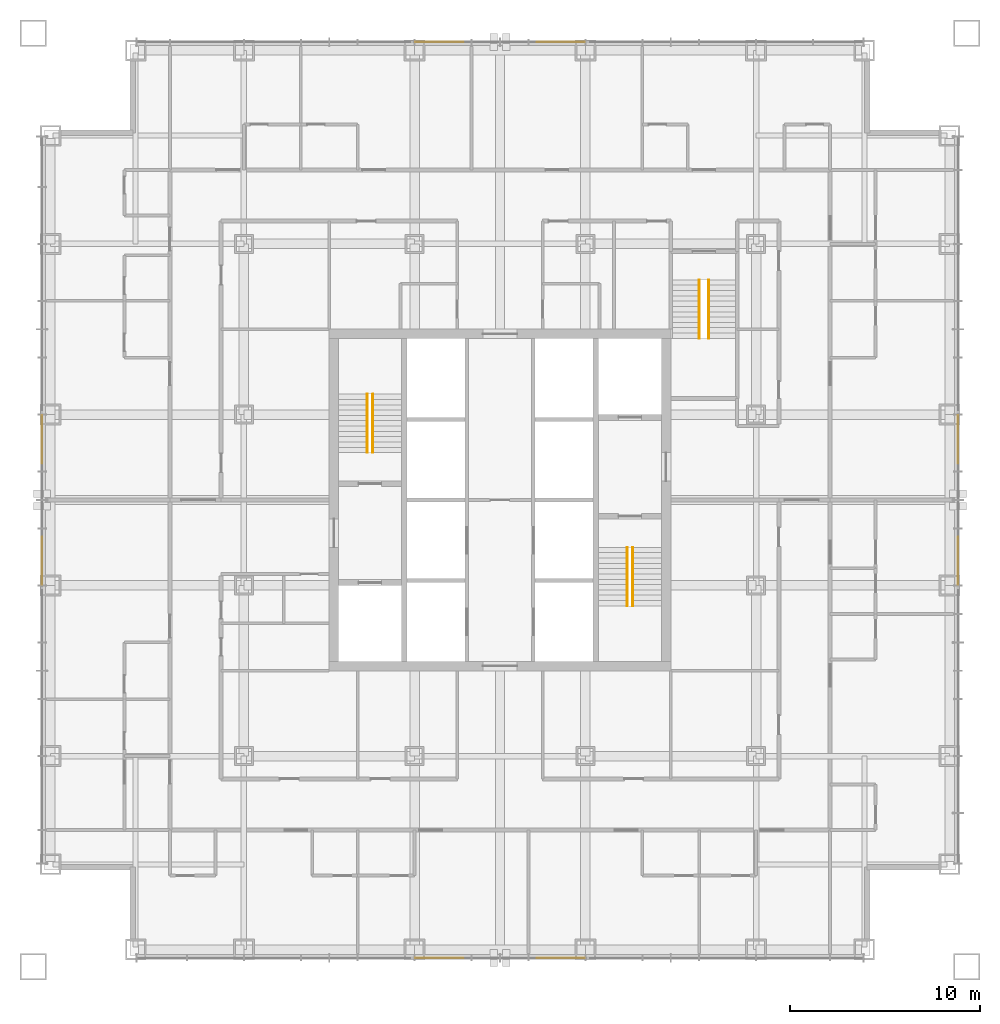
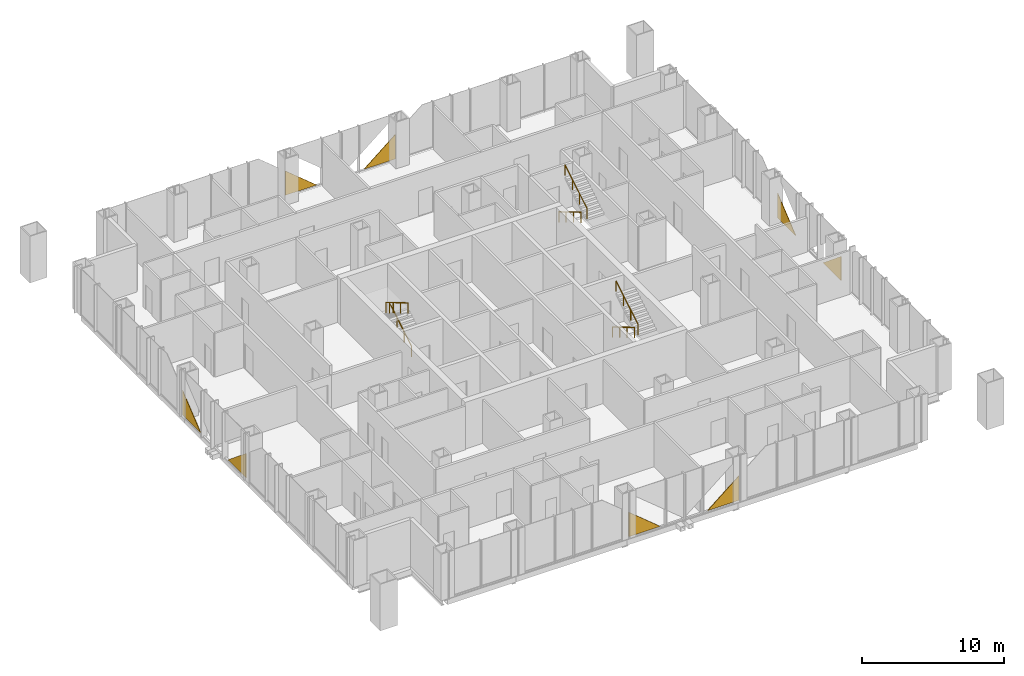
# One storey, part 13 of 17: 8 coverings, 6 railings.
"""IFC4 building model written with IfcOpenShell, lengths in metres."""

from ifc_helpers import new_model, si_unit, direction, frame, origin, origin_2d, place, context, subcontext, project, spatial, polyline, circle, outline, extrude, material, layer, layer_set, type_object, element, save


model = new_model("IFC4")

# Units and contexts
model_context = context("Model", 3, precision=1e-05, world=origin(), true_north=direction((0.0, 1.0)))
body_context = subcontext(model_context, "Body", "Model", "MODEL_VIEW")
ifc_project = project(units=[si_unit("LENGTHUNIT", "METRE"), si_unit("AREAUNIT", "SQUARE_METRE"), si_unit("VOLUMEUNIT", "CUBIC_METRE"), si_unit("PLANEANGLEUNIT", "RADIAN"), si_unit("MASSUNIT", "GRAM", prefix="KILO")], contexts=[model_context])

# Site, building, storey
site_placement = place(None, origin())
site = spatial("IfcSite", under=ifc_project, at=site_placement, CompositionType="ELEMENT")
building_placement = place(site_placement, origin())
building = spatial("IfcBuilding", under=site, at=building_placement, Name="Malebo Sky Hospital", CompositionType="ELEMENT")
storey_placement = place(building_placement, frame((0.0, 0.0, 120.0)))
storey = spatial("IfcBuildingStorey", under=building, at=storey_placement, Name="L28", CompositionType="ELEMENT", Elevation=120.0)

# Coverings
ifc_material_1 = material(Name="Anodised aluminium, natural silver insulated infill panel", Category="aluminium")
ifc_layer = layer(ifc_material_1, 0.0400390625)
ifc_layer_set = layer_set([ifc_layer], Name="BRACE INFILL PANEL 40")
covering_type = type_object("IfcCoveringType", Name="BRACE INFILL PANEL 40", PredefinedType="CLADDING", material=ifc_layer_set)
covering_1_placement = place(storey_placement, frame((56.806884765625, 86.135009765625, 0.10009765625), z_axis=(0.0, 0.0, 1.0), x_axis=(1.0, 0.0, 0.0)))
element("IfcCovering", 1, at=covering_1_placement, inside=storey, type_object=covering_type, Name="Brace infill panel 7.1", PredefinedType="CLADDING", context=body_context, shape_type="SweptSolid", body=[
    extrude(outline(polyline([(-1.269287109375, 0.0), (1.269287109375, 0.0), (-1.269287109375, 2.09228515625), (-1.269287109375, 0.0)])), frame((0.0, 0.02001953125, 0.0), z_axis=(0.0, -1.0, 0.0), x_axis=(1.0, 0.0, 0.0)), (0.0, 0.0, 1.0), 0.0400390625),
])
covering_2_placement = place(storey_placement, frame((63.193115234375, 86.135009765625, 0.10009765625), z_axis=(0.0, 0.0, 1.0), x_axis=(1.0, 0.0, 0.0)))
element("IfcCovering", 2, at=covering_2_placement, inside=storey, type_object=covering_type, Name="Brace infill panel 10.1", PredefinedType="CLADDING", context=body_context, shape_type="SweptSolid", body=[
    extrude(outline(polyline([(-1.269287109375, 0.0), (1.269287109375, 0.0), (1.269287109375, 2.09228515625), (-1.269287109375, 0.0)])), frame((0.0, 0.02001953125, 0.0), z_axis=(0.0, -1.0, 0.0), x_axis=(1.0, 0.0, 0.0)), (0.0, 0.0, 1.0), 0.0400390625),
])
covering_3_placement = place(storey_placement, frame((35.864990234375, 58.806884765625, 0.10009765625), z_axis=(0.0, 0.0, 1.0), x_axis=(0.0, 1.0, 0.0)))
element("IfcCovering", 3, at=covering_3_placement, inside=storey, type_object=covering_type, Name="Brace infill panel 7.1", PredefinedType="CLADDING", context=body_context, shape_type="SweptSolid", body=[
    extrude(outline(polyline([(-1.269287109375, 0.0), (1.269287109375, 0.0), (-1.269287109375, 2.09228515625), (-1.269287109375, 0.0)])), frame((0.0, 0.02001953125, 0.0), z_axis=(0.0, -1.0, 0.0), x_axis=(1.0, 0.0, 0.0)), (0.0, 0.0, 1.0), 0.0400390625),
])
covering_4_placement = place(storey_placement, frame((35.864990234375, 65.193115234375, 0.10009765625), z_axis=(0.0, 0.0, 1.0), x_axis=(0.0, 1.0, 0.0)))
element("IfcCovering", 4, at=covering_4_placement, inside=storey, type_object=covering_type, Name="Brace infill panel 10.1", PredefinedType="CLADDING", context=body_context, shape_type="SweptSolid", body=[
    extrude(outline(polyline([(-1.269287109375, 0.0), (1.269287109375, 0.0), (1.269287109375, 2.09228515625), (-1.269287109375, 0.0)])), frame((0.0, 0.02001953125, 0.0), z_axis=(0.0, -1.0, 0.0), x_axis=(1.0, 0.0, 0.0)), (0.0, 0.0, 1.0), 0.0400390625),
])
covering_5_placement = place(storey_placement, frame((63.193115234375, 37.864990234375, 0.10009765625), z_axis=(0.0, 0.0, 1.0), x_axis=(-1.0, 0.0, 0.0)))
element("IfcCovering", 5, at=covering_5_placement, inside=storey, type_object=covering_type, Name="Brace infill panel 7.1", PredefinedType="CLADDING", context=body_context, shape_type="SweptSolid", body=[
    extrude(outline(polyline([(-1.269287109375, 0.0), (1.269287109375, 0.0), (-1.269287109375, 2.09228515625), (-1.269287109375, 0.0)])), frame((0.0, 0.02001953125, 0.0), z_axis=(0.0, -1.0, 0.0), x_axis=(1.0, 0.0, 0.0)), (0.0, 0.0, 1.0), 0.0400390625),
])
covering_6_placement = place(storey_placement, frame((56.806884765625, 37.864990234375, 0.10009765625), z_axis=(0.0, 0.0, 1.0), x_axis=(-1.0, 0.0, 0.0)))
element("IfcCovering", 6, at=covering_6_placement, inside=storey, type_object=covering_type, Name="Brace infill panel 10.1", PredefinedType="CLADDING", context=body_context, shape_type="SweptSolid", body=[
    extrude(outline(polyline([(-1.269287109375, 0.0), (1.269287109375, 0.0), (1.269287109375, 2.09228515625), (-1.269287109375, 0.0)])), frame((0.0, 0.02001953125, 0.0), z_axis=(0.0, -1.0, 0.0), x_axis=(1.0, 0.0, 0.0)), (0.0, 0.0, 1.0), 0.0400390625),
])
covering_7_placement = place(storey_placement, frame((84.135009765625, 65.193115234375, 0.10009765625), z_axis=(0.0, 0.0, 1.0), x_axis=(0.0, -1.0, 0.0)))
element("IfcCovering", 7, at=covering_7_placement, inside=storey, type_object=covering_type, Name="Brace infill panel 7.1", PredefinedType="CLADDING", context=body_context, shape_type="SweptSolid", body=[
    extrude(outline(polyline([(-1.269287109375, 0.0), (1.269287109375, 0.0), (-1.269287109375, 2.09228515625), (-1.269287109375, 0.0)])), frame((0.0, 0.02001953125, 0.0), z_axis=(0.0, -1.0, 0.0), x_axis=(1.0, 0.0, 0.0)), (0.0, 0.0, 1.0), 0.0400390625),
])
covering_8_placement = place(storey_placement, frame((84.135009765625, 58.806884765625, 0.10009765625), z_axis=(0.0, 0.0, 1.0), x_axis=(0.0, -1.0, 0.0)))
element("IfcCovering", 8, at=covering_8_placement, inside=storey, type_object=covering_type, Name="Brace infill panel 10.1", PredefinedType="CLADDING", context=body_context, shape_type="SweptSolid", body=[
    extrude(outline(polyline([(-1.269287109375, 0.0), (1.269287109375, 0.0), (1.269287109375, 2.09228515625), (-1.269287109375, 0.0)])), frame((0.0, 0.02001953125, 0.0), z_axis=(0.0, -1.0, 0.0), x_axis=(1.0, 0.0, 0.0)), (0.0, 0.0, 1.0), 0.0400390625),
])

# Railings
ifc_material_2 = material(Name="Stainless steel tube", Category="steel")
railing_type = type_object("IfcRailingType", Name="STAIR HANDRAIL 900", PredefinedType="HANDRAIL", material=ifc_material_2)
railing_1_placement = place(storey_placement, frame((53.300048828125, 64.5, 0.166748046875)))
element("IfcRailing", 9, at=railing_1_placement, inside=storey, type_object=railing_type, Name="Stair handrail S1 flight 1", PredefinedType="HANDRAIL", context=body_context, shape_type="SweptSolid", body=[
    extrude(circle(Radius=0.02392578125, at=origin_2d()), frame((0.0, 0.0, 0.8759765625), z_axis=(0.0, 0.859308565015, 0.511457515432), x_axis=(-1.0, 0.0, 0.0)), (0.0, 0.0, 1.0), 3.58447265625),
    extrude(circle(Radius=0.02099609375, at=origin_2d()), origin(), (0.0, 0.0, 1.0), 0.851806640625),
    extrude(circle(Radius=0.02099609375, at=origin_2d()), frame((0.0, 1.026611328125, 0.611083984375)), (0.0, 0.0, 1.0), 0.851806640625),
    extrude(circle(Radius=0.02099609375, at=origin_2d()), frame((0.0, 2.053466796875, 1.22216796875)), (0.0, 0.0, 1.0), 0.851806640625),
    extrude(circle(Radius=0.02099609375, at=origin_2d()), frame((0.0, 3.080078125, 1.833251953125)), (0.0, 0.0, 1.0), 0.851806640625),
])
for number, where, name in (
    (10, (53.0, 67.580078125, 2.166748046875), "Stair handrail S1 flight 2"),
    (11, (66.699951171875, 59.5, 0.166748046875), "Stair handrail S2 flight 1"),
):
    element("IfcRailing", number, at=place(storey_placement, frame(where)), inside=storey, type_object=railing_type, Name=name, PredefinedType="HANDRAIL", context=body_context, shape_type="SweptSolid", body=[
        extrude(circle(Radius=0.02392578125, at=origin_2d()), frame((0.0, 0.0, 0.8759765625), z_axis=(0.0, -0.859308565015, 0.511457515432), x_axis=(1.0, 0.0, 0.0)), (0.0, 0.0, 1.0), 3.58447265625),
        extrude(circle(Radius=0.02099609375, at=origin_2d()), origin(), (0.0, 0.0, 1.0), 0.851806640625),
        extrude(circle(Radius=0.02099609375, at=origin_2d()), frame((0.0, -1.026611328125, 0.611083984375)), (0.0, 0.0, 1.0), 0.851806640625),
        extrude(circle(Radius=0.02099609375, at=origin_2d()), frame((0.0, -2.053466796875, 1.22216796875)), (0.0, 0.0, 1.0), 0.851806640625),
        extrude(circle(Radius=0.02099609375, at=origin_2d()), frame((0.0, -3.080078125, 1.833251953125)), (0.0, 0.0, 1.0), 0.851806640625),
    ])
railing_2_placement = place(storey_placement, frame((67.0, 56.419921875, 2.166748046875)))
element("IfcRailing", 12, at=railing_2_placement, inside=storey, type_object=railing_type, Name="Stair handrail S2 flight 2", PredefinedType="HANDRAIL", context=body_context, shape_type="SweptSolid", body=[
    extrude(circle(Radius=0.02392578125, at=origin_2d()), frame((0.0, 0.0, 0.8759765625), z_axis=(0.0, 0.859308565015, 0.511457515432), x_axis=(-1.0, 0.0, 0.0)), (0.0, 0.0, 1.0), 3.58447265625),
    extrude(circle(Radius=0.02099609375, at=origin_2d()), origin(), (0.0, 0.0, 1.0), 0.851806640625),
    extrude(circle(Radius=0.02099609375, at=origin_2d()), frame((0.0, 1.026611328125, 0.611083984375)), (0.0, 0.0, 1.0), 0.851806640625),
    extrude(circle(Radius=0.02099609375, at=origin_2d()), frame((0.0, 2.053466796875, 1.22216796875)), (0.0, 0.0, 1.0), 0.851806640625),
    extrude(circle(Radius=0.02099609375, at=origin_2d()), frame((0.0, 3.080078125, 1.833251953125)), (0.0, 0.0, 1.0), 0.851806640625),
])
railing_3_placement = place(storey_placement, frame((70.5, 73.60009765625, 0.166748046875)))
element("IfcRailing", 13, at=railing_3_placement, inside=storey, type_object=railing_type, Name="Stair handrail S3 flight 1", PredefinedType="HANDRAIL", context=body_context, shape_type="SweptSolid", body=[
    extrude(circle(Radius=0.02392578125, at=origin_2d()), frame((0.0, 0.0, 0.8759765625), z_axis=(0.0, -0.859308565015, 0.511457515432), x_axis=(1.0, 0.0, 0.0)), (0.0, 0.0, 1.0), 3.58447265625),
    extrude(circle(Radius=0.02099609375, at=origin_2d()), origin(), (0.0, 0.0, 1.0), 0.851806640625),
    extrude(circle(Radius=0.02099609375, at=origin_2d()), frame((0.0, -1.026611328125, 0.611083984375)), (0.0, 0.0, 1.0), 0.851806640625),
    extrude(circle(Radius=0.02099609375, at=origin_2d()), frame((0.0, -2.053466796875, 1.22216796875)), (0.0, 0.0, 1.0), 0.851806640625),
    extrude(circle(Radius=0.02099609375, at=origin_2d()), frame((0.0, -3.080078125, 1.833251953125)), (0.0, 0.0, 1.0), 0.851806640625),
])
railing_4_placement = place(storey_placement, frame((71.0, 70.52001953125, 2.166748046875)))
element("IfcRailing", 14, at=railing_4_placement, inside=storey, type_object=railing_type, Name="Stair handrail S3 flight 2", PredefinedType="HANDRAIL", context=body_context, shape_type="SweptSolid", body=[
    extrude(circle(Radius=0.02392578125, at=origin_2d()), frame((0.0, 0.0, 0.8759765625), z_axis=(0.0, 0.859308565015, 0.511457515432), x_axis=(-1.0, 0.0, 0.0)), (0.0, 0.0, 1.0), 3.58447265625),
    extrude(circle(Radius=0.02099609375, at=origin_2d()), origin(), (0.0, 0.0, 1.0), 0.851806640625),
    extrude(circle(Radius=0.02099609375, at=origin_2d()), frame((0.0, 1.026611328125, 0.611083984375)), (0.0, 0.0, 1.0), 0.851806640625),
    extrude(circle(Radius=0.02099609375, at=origin_2d()), frame((0.0, 2.053466796875, 1.22216796875)), (0.0, 0.0, 1.0), 0.851806640625),
    extrude(circle(Radius=0.02099609375, at=origin_2d()), frame((0.0, 3.080078125, 1.833251953125)), (0.0, 0.0, 1.0), 0.851806640625),
])

save(model, "model.ifc")
